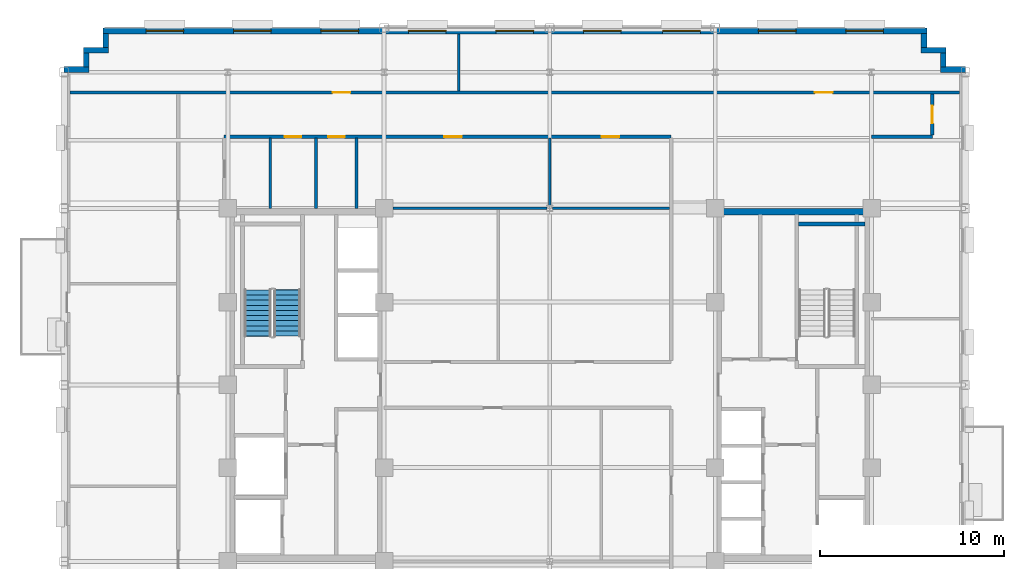
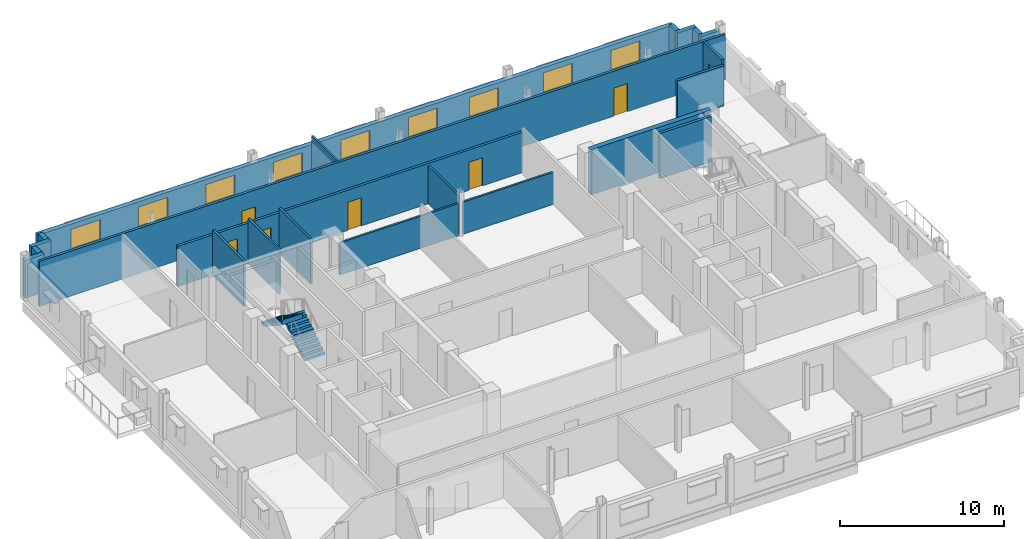
# One storey, part 10 of 15: 22 walls, 9 windows, 7 doors, 2 stair flights, 16 openings, 1 element without a shape of its own.
"""IFC4 building model written with IfcOpenShell, lengths in metres."""

from ifc_helpers import new_model, si_unit, direction, frame, frame_2d, origin, place, context, subcontext, project, spatial, polyline, rectangle, outline, extrude, source, transform, mapped, material, layer, layer_set, type_object, type_shapes, element, fill, aggregate, save


model = new_model("IFC4")

# Units and contexts
model_context = context("Model", 3, precision=1e-05, world=origin(), true_north=direction((0.0, 1.0)))
body_context = subcontext(model_context, "Body", "Model", "MODEL_VIEW")
ifc_project = project(units=[si_unit("LENGTHUNIT", "METRE"), si_unit("AREAUNIT", "SQUARE_METRE"), si_unit("VOLUMEUNIT", "CUBIC_METRE"), si_unit("PLANEANGLEUNIT", "RADIAN"), si_unit("MASSUNIT", "GRAM", prefix="KILO")], contexts=[model_context])

# Site, building, storey
site_placement = place(None, origin())
site = spatial("IfcSite", under=ifc_project, at=site_placement, CompositionType="ELEMENT")
building_placement = place(site_placement, origin())
building = spatial("IfcBuilding", under=site, at=building_placement, Name="Nuvemarco Arch Tower", CompositionType="ELEMENT")
storey_placement = place(building_placement, frame((0.0, 0.0, 194.550048828125)))
storey = spatial("IfcBuildingStorey", under=building, at=storey_placement, Name="L51", CompositionType="ELEMENT", Elevation=194.550048828125)

# Walls
ifc_material_1 = material(Name="Precast concrete C45/55", Category="concrete")
ifc_layer_1 = layer(ifc_material_1, 0.31005859375, Name="EW-UPP-310")
ifc_layer_set_1 = layer_set([ifc_layer_1], Name="Precast concrete C45/55")
wall_type_1 = type_object("IfcWallType", Name="EW-UPP-310", PredefinedType="STANDARD", material=ifc_layer_set_1)
wall_1_placement = place(storey_placement, frame((21.239990234375, 17.14501953125, 0.0), z_axis=(0.0, 0.0, 1.0), x_axis=(1.0, 0.0, 0.0)))
element("IfcWall", 1, at=wall_1_placement, inside=storey, type_object=wall_type_1, Name="L51 exterior precast facade wall 7", PredefinedType="STANDARD", context=body_context, shape_type="SweptSolid", body=[
    extrude(rectangle(XDim=1.360107421875, YDim=0.31005859375, at=frame_2d((0.68017578125, 0.0))), origin(), (0.0, 0.0, 1.0), 2.81591796875),
])
wall_2_placement = place(storey_placement, frame((21.39501953125, 17.2958984375, 0.0), z_axis=(0.0, 0.0, 1.0), x_axis=(0.0, 1.0, 0.0)))
element("IfcWall", 2, at=wall_2_placement, inside=storey, type_object=wall_type_1, Name="L51 exterior precast facade wall 8", PredefinedType="STANDARD", context=body_context, shape_type="SweptSolid", body=[
    extrude(rectangle(XDim=0.748046875, YDim=0.31005859375, at=frame_2d((0.3740234375, 0.0))), origin(), (0.0, 0.0, 1.0), 2.81591796875),
])
wall_3_placement = place(storey_placement, frame((20.18994140625, 18.195068359375, 0.0), z_axis=(0.0, 0.0, 1.0), x_axis=(1.0, 0.0, 0.0)))
element("IfcWall", 3, at=wall_3_placement, inside=storey, type_object=wall_type_1, Name="L51 exterior precast facade wall 9", PredefinedType="STANDARD", context=body_context, shape_type="SweptSolid", body=[
    extrude(rectangle(XDim=1.360107421875, YDim=0.31005859375, at=frame_2d((0.68017578125, 0.0))), origin(), (0.0, 0.0, 1.0), 2.81591796875),
])
wall_4_placement = place(storey_placement, frame((20.344970703125, 18.345947265625, 0.0), z_axis=(0.0, 0.0, 1.0), x_axis=(0.0, 1.0, 0.0)))
element("IfcWall", 4, at=wall_4_placement, inside=storey, type_object=wall_type_1, Name="L51 exterior precast facade wall 10", PredefinedType="STANDARD", context=body_context, shape_type="SweptSolid", body=[
    extrude(rectangle(XDim=0.748046875, YDim=0.31005859375, at=frame_2d((0.3740234375, 0.0))), origin(), (0.0, 0.0, 1.0), 2.81591796875),
])

# Wall, openings, windows
wall_5_placement = place(storey_placement, frame((-24.300048828125, 19.2451171875, 0.0), z_axis=(0.0, 0.0, 1.0), x_axis=(1.0, 0.0, 0.0)))
wall_5 = element("IfcWall", 5, at=wall_5_placement, inside=storey, type_object=wall_type_1, Name="L51 exterior precast facade wall 11", PredefinedType="STANDARD", context=body_context, shape_type="SweptSolid", body=[
    extrude(rectangle(XDim=44.800048828125, YDim=0.31005859375, at=frame_2d((22.39990234375, 0.0))), origin(), (0.0, 0.0, 1.0), 2.704833984375),
])
opening_1_placement = place(wall_5_placement, frame((2.352783203125, 0.0, 0.800048828125)))
opening_1 = element("IfcOpeningElement", 6, at=opening_1_placement, cuts=wall_5, Name="Opening WN-12", PredefinedType="OPENING", context=body_context, shape_type="SweptSolid", body=[
    extrude(rectangle(XDim=2.050048828125, YDim=1.52001953125, at=frame_2d((1.02490234375, 0.760009765625))), frame((0.0, 0.1650390625, 0.0), z_axis=(0.0, -1.0, 0.0), x_axis=(1.0, 0.0, 0.0)), (0.0, 0.0, 1.0), 0.330078125),
])
opening_2_placement = place(wall_5_placement, frame((7.1083984375, 0.0, 0.800048828125)))
opening_2 = element("IfcOpeningElement", 7, at=opening_2_placement, cuts=wall_5, Name="Opening WN-12", PredefinedType="OPENING", context=body_context, shape_type="SweptSolid", body=[
    extrude(rectangle(XDim=2.050048828125, YDim=1.52001953125, at=frame_2d((1.02490234375, 0.760009765625))), frame((0.0, 0.1650390625, 0.0), z_axis=(0.0, -1.0, 0.0), x_axis=(1.0, 0.0, 0.0)), (0.0, 0.0, 1.0), 0.330078125),
])
opening_3_placement = place(wall_5_placement, frame((11.864013671875, 0.0, 0.800048828125)))
opening_3 = element("IfcOpeningElement", 8, at=opening_3_placement, cuts=wall_5, Name="Opening WN-12", PredefinedType="OPENING", context=body_context, shape_type="SweptSolid", body=[
    extrude(rectangle(XDim=2.050048828125, YDim=1.52001953125, at=frame_2d((1.02490234375, 0.760009765625))), frame((0.0, 0.1650390625, 0.0), z_axis=(0.0, -1.0, 0.0), x_axis=(1.0, 0.0, 0.0)), (0.0, 0.0, 1.0), 0.330078125),
])
opening_4_placement = place(wall_5_placement, frame((16.619384765625, 0.0, 0.800048828125)))
opening_4 = element("IfcOpeningElement", 9, at=opening_4_placement, cuts=wall_5, Name="Opening WN-12", PredefinedType="OPENING", context=body_context, shape_type="SweptSolid", body=[
    extrude(rectangle(XDim=2.050048828125, YDim=1.52001953125, at=frame_2d((1.02490234375, 0.760009765625))), frame((0.0, 0.1650390625, 0.0), z_axis=(0.0, -1.0, 0.0), x_axis=(1.0, 0.0, 0.0)), (0.0, 0.0, 1.0), 0.330078125),
])
opening_5_placement = place(wall_5_placement, frame((21.375, 0.0, 0.800048828125)))
opening_5 = element("IfcOpeningElement", 10, at=opening_5_placement, cuts=wall_5, Name="Opening WN-12", PredefinedType="OPENING", context=body_context, shape_type="SweptSolid", body=[
    extrude(rectangle(XDim=2.050048828125, YDim=1.52001953125, at=frame_2d((1.02490234375, 0.760009765625))), frame((0.0, 0.1650390625, 0.0), z_axis=(0.0, -1.0, 0.0), x_axis=(1.0, 0.0, 0.0)), (0.0, 0.0, 1.0), 0.330078125),
])
opening_6_placement = place(wall_5_placement, frame((26.130615234375, 0.0, 0.800048828125)))
opening_6 = element("IfcOpeningElement", 11, at=opening_6_placement, cuts=wall_5, Name="Opening WN-12", PredefinedType="OPENING", context=body_context, shape_type="SweptSolid", body=[
    extrude(rectangle(XDim=2.050048828125, YDim=1.52001953125, at=frame_2d((1.02490234375, 0.760009765625))), frame((0.0, 0.1650390625, 0.0), z_axis=(0.0, -1.0, 0.0), x_axis=(1.0, 0.0, 0.0)), (0.0, 0.0, 1.0), 0.330078125),
])
opening_7_placement = place(wall_5_placement, frame((30.43603515625, 0.0, 0.800048828125)))
opening_7 = element("IfcOpeningElement", 12, at=opening_7_placement, cuts=wall_5, Name="Opening WN-12", PredefinedType="OPENING", context=body_context, shape_type="SweptSolid", body=[
    extrude(rectangle(XDim=2.050048828125, YDim=1.52001953125, at=frame_2d((1.02490234375, 0.760009765625))), frame((0.0, 0.1650390625, 0.0), z_axis=(0.0, -1.0, 0.0), x_axis=(1.0, 0.0, 0.0)), (0.0, 0.0, 1.0), 0.330078125),
])
opening_8_placement = place(wall_5_placement, frame((35.6416015625, 0.0, 0.800048828125)))
opening_8 = element("IfcOpeningElement", 13, at=opening_8_placement, cuts=wall_5, Name="Opening WN-12", PredefinedType="OPENING", context=body_context, shape_type="SweptSolid", body=[
    extrude(rectangle(XDim=2.050048828125, YDim=1.52001953125, at=frame_2d((1.02490234375, 0.760009765625))), frame((0.0, 0.1650390625, 0.0), z_axis=(0.0, -1.0, 0.0), x_axis=(1.0, 0.0, 0.0)), (0.0, 0.0, 1.0), 0.330078125),
])
opening_9_placement = place(wall_5_placement, frame((40.397216796875, 0.0, 0.800048828125)))
opening_9 = element("IfcOpeningElement", 14, at=opening_9_placement, cuts=wall_5, Name="Opening WN-12", PredefinedType="OPENING", context=body_context, shape_type="SweptSolid", body=[
    extrude(rectangle(XDim=2.050048828125, YDim=1.52001953125, at=frame_2d((1.02490234375, 0.760009765625))), frame((0.0, 0.1650390625, 0.0), z_axis=(0.0, -1.0, 0.0), x_axis=(1.0, 0.0, 0.0)), (0.0, 0.0, 1.0), 0.330078125),
])
ifc_material_2 = material(Name="Insulated solar-control glass", Category="glass")
window_type = type_object("IfcWindowType", Name="WN-SET-2050x1520", PartitioningType="DOUBLE_PANEL_VERTICAL", PredefinedType="WINDOW", material=ifc_material_2)
shared_shape_1 = source(origin(), body_context, "Body", "SweptSolid", [
    extrude(rectangle(XDim=2.050048828125, YDim=1.52001953125, at=frame_2d((1.02490234375, 0.760009765625))), frame((0.0, 0.030029296875, 0.0), z_axis=(0.0, -1.0, 0.0), x_axis=(1.0, 0.0, 0.0)), (0.0, 0.0, 1.0), 0.06005859375),
])
type_shapes(window_type, [shared_shape_1])
window_1_placement = place(opening_1_placement, origin())
window_1 = element("IfcWindow", 15, at=window_1_placement, inside=storey, type_object=window_type, Name="L51 punched facade window 1", OverallHeight=1.52001953125, OverallWidth=2.050048828125, PartitioningType="SINGLE_PANEL", PredefinedType="WINDOW", context=body_context, shape_type="MappedRepresentation", body=[
    mapped(shared_shape_1, transform((0.0, 0.0, 0.0), scale=1.0)),
])
fill(opening_1, window_1)
window_2_placement = place(opening_2_placement, origin())
window_2 = element("IfcWindow", 16, at=window_2_placement, inside=storey, type_object=window_type, Name="L51 punched facade window 2", OverallHeight=1.52001953125, OverallWidth=2.050048828125, PartitioningType="SINGLE_PANEL", PredefinedType="WINDOW", context=body_context, shape_type="MappedRepresentation", body=[
    mapped(shared_shape_1, transform((0.0, 0.0, 0.0), scale=1.0)),
])
fill(opening_2, window_2)
window_3_placement = place(opening_3_placement, origin())
window_3 = element("IfcWindow", 17, at=window_3_placement, inside=storey, type_object=window_type, Name="L51 punched facade window 3", OverallHeight=1.52001953125, OverallWidth=2.050048828125, PartitioningType="SINGLE_PANEL", PredefinedType="WINDOW", context=body_context, shape_type="MappedRepresentation", body=[
    mapped(shared_shape_1, transform((0.0, 0.0, 0.0), scale=1.0)),
])
fill(opening_3, window_3)
window_4_placement = place(opening_4_placement, origin())
window_4 = element("IfcWindow", 18, at=window_4_placement, inside=storey, type_object=window_type, Name="L51 punched facade window 4", OverallHeight=1.52001953125, OverallWidth=2.050048828125, PartitioningType="SINGLE_PANEL", PredefinedType="WINDOW", context=body_context, shape_type="MappedRepresentation", body=[
    mapped(shared_shape_1, transform((0.0, 0.0, 0.0), scale=1.0)),
])
fill(opening_4, window_4)
window_5_placement = place(opening_5_placement, origin())
window_5 = element("IfcWindow", 19, at=window_5_placement, inside=storey, type_object=window_type, Name="L51 punched facade window 5", OverallHeight=1.52001953125, OverallWidth=2.050048828125, PartitioningType="SINGLE_PANEL", PredefinedType="WINDOW", context=body_context, shape_type="MappedRepresentation", body=[
    mapped(shared_shape_1, transform((0.0, 0.0, 0.0), scale=1.0)),
])
fill(opening_5, window_5)
window_6_placement = place(opening_6_placement, origin())
window_6 = element("IfcWindow", 20, at=window_6_placement, inside=storey, type_object=window_type, Name="L51 punched facade window 6", OverallHeight=1.52001953125, OverallWidth=2.050048828125, PartitioningType="SINGLE_PANEL", PredefinedType="WINDOW", context=body_context, shape_type="MappedRepresentation", body=[
    mapped(shared_shape_1, transform((0.0, 0.0, 0.0), scale=1.0)),
])
fill(opening_6, window_6)
window_7_placement = place(opening_7_placement, origin())
window_7 = element("IfcWindow", 21, at=window_7_placement, inside=storey, type_object=window_type, Name="L51 punched facade window 7", OverallHeight=1.52001953125, OverallWidth=2.050048828125, PartitioningType="SINGLE_PANEL", PredefinedType="WINDOW", context=body_context, shape_type="MappedRepresentation", body=[
    mapped(shared_shape_1, transform((0.0, 0.0, 0.0), scale=1.0)),
])
fill(opening_7, window_7)
window_8_placement = place(opening_8_placement, origin())
window_8 = element("IfcWindow", 22, at=window_8_placement, inside=storey, type_object=window_type, Name="L51 punched facade window 8", OverallHeight=1.52001953125, OverallWidth=2.050048828125, PartitioningType="SINGLE_PANEL", PredefinedType="WINDOW", context=body_context, shape_type="MappedRepresentation", body=[
    mapped(shared_shape_1, transform((0.0, 0.0, 0.0), scale=1.0)),
])
fill(opening_8, window_8)
window_9_placement = place(opening_9_placement, origin())
window_9 = element("IfcWindow", 23, at=window_9_placement, inside=storey, type_object=window_type, Name="L51 punched facade window 9", OverallHeight=1.52001953125, OverallWidth=2.050048828125, PartitioningType="SINGLE_PANEL", PredefinedType="WINDOW", context=body_context, shape_type="MappedRepresentation", body=[
    mapped(shared_shape_1, transform((0.0, 0.0, 0.0), scale=1.0)),
])
fill(opening_9, window_9)

# Walls
wall_6_placement = place(storey_placement, frame((-24.14501953125, 18.345947265625, 0.0), z_axis=(0.0, 0.0, 1.0), x_axis=(0.0, 1.0, 0.0)))
element("IfcWall", 24, at=wall_6_placement, inside=storey, type_object=wall_type_1, Name="L51 exterior precast facade wall 12", PredefinedType="STANDARD", context=body_context, shape_type="SweptSolid", body=[
    extrude(rectangle(XDim=0.748046875, YDim=0.31005859375, at=frame_2d((0.3740234375, 0.0))), origin(), (0.0, 0.0, 1.0), 2.81591796875),
])
wall_7_placement = place(storey_placement, frame((-25.35009765625, 18.195068359375, 0.0), z_axis=(0.0, 0.0, 1.0), x_axis=(1.0, 0.0, 0.0)))
element("IfcWall", 25, at=wall_7_placement, inside=storey, type_object=wall_type_1, Name="L51 exterior precast facade wall 13", PredefinedType="STANDARD", context=body_context, shape_type="SweptSolid", body=[
    extrude(rectangle(XDim=1.360107421875, YDim=0.31005859375, at=frame_2d((0.68017578125, 0.0))), origin(), (0.0, 0.0, 1.0), 2.81591796875),
])
wall_8_placement = place(storey_placement, frame((-25.195068359375, 17.2958984375, 0.0), z_axis=(0.0, 0.0, 1.0), x_axis=(0.0, 1.0, 0.0)))
element("IfcWall", 26, at=wall_8_placement, inside=storey, type_object=wall_type_1, Name="L51 exterior precast facade wall 14", PredefinedType="STANDARD", context=body_context, shape_type="SweptSolid", body=[
    extrude(rectangle(XDim=0.748046875, YDim=0.31005859375, at=frame_2d((0.3740234375, 0.0))), origin(), (0.0, 0.0, 1.0), 2.81591796875),
])
wall_9_placement = place(storey_placement, frame((-26.39990234375, 17.14501953125, 0.0), z_axis=(0.0, 0.0, 1.0), x_axis=(1.0, 0.0, 0.0)))
element("IfcWall", 27, at=wall_9_placement, inside=storey, type_object=wall_type_1, Name="L51 exterior precast facade wall 15", PredefinedType="STANDARD", context=body_context, shape_type="SweptSolid", body=[
    extrude(rectangle(XDim=1.35986328125, YDim=0.31005859375, at=frame_2d((0.679931640625, 0.0))), origin(), (0.0, 0.0, 1.0), 2.81591796875),
])
ifc_material_3 = material(Name="Concrete C50/60", Category="concrete")
ifc_layer_2 = layer(ifc_material_3, 0.35009765625, Name="WL-CORE-350")
ifc_layer_set_2 = layer_set([ifc_layer_2], Name="Concrete C50/60")
wall_type_2 = type_object("IfcWallType", Name="WL-CORE-350", PredefinedType="SHEAR", material=ifc_layer_set_2)
wall_10_placement = place(storey_placement, frame((9.0, 9.425048828125, 0.0), z_axis=(0.0, 0.0, 1.0), x_axis=(1.0, 0.0, 0.0)))
element("IfcWall", 28, at=wall_10_placement, inside=storey, type_object=wall_type_2, Name="L51 E-core shear wall N", PredefinedType="SHEAR", context=body_context, shape_type="SweptSolid", body=[
    extrude(rectangle(XDim=8.5, YDim=0.35009765625, at=frame_2d((4.25, 0.0))), origin(), (0.0, 0.0, 1.0), 3.369873046875),
])

# Wall, openings, doors
ifc_material_4 = material(Name="Fire-rated gypsum drywall partition")
ifc_layer_3 = layer(ifc_material_4, 0.179931640625, Name="WL-CORR-180")
ifc_layer_set_3 = layer_set([ifc_layer_3], Name="Fire-rated gypsum drywall partition")
wall_type_3 = type_object("IfcWallType", Name="WL-CORR-180", PredefinedType="PARTITIONING", material=ifc_layer_set_3)
wall_11_placement = place(storey_placement, frame((-17.699951171875, 13.5, 0.0), z_axis=(0.0, 0.0, 1.0), x_axis=(1.0, 0.0, 0.0)))
wall_11 = element("IfcWall", 29, at=wall_11_placement, inside=storey, type_object=wall_type_3, Name="L51 interior wall IW-L51-013", PredefinedType="PARTITIONING", context=body_context, shape_type="SweptSolid", body=[
    extrude(rectangle(XDim=24.300048828125, YDim=0.179931640625, at=frame_2d((12.14990234375, 0.0))), origin(), (0.0, 0.0, 1.0), 3.008056640625),
])
opening_10_placement = place(wall_11_placement, frame((11.969970703125, 0.0, 0.0)))
opening_10 = element("IfcOpeningElement", 30, at=opening_10_placement, cuts=wall_11, Name="Opening FD-5", PredefinedType="OPENING", context=body_context, shape_type="SweptSolid", body=[
    extrude(rectangle(XDim=0.9599609375, YDim=2.10009765625, at=frame_2d((0.47998046875, 1.050048828125))), frame((0.0, 0.099853515625, 0.0), z_axis=(0.0, -1.0, 0.0), x_axis=(1.0, 0.0, 0.0)), (0.0, 0.0, 1.0), 0.199951171875),
])
opening_11_placement = place(wall_11_placement, frame((20.52001953125, 0.0, 0.0)))
opening_11 = element("IfcOpeningElement", 31, at=opening_11_placement, cuts=wall_11, Name="Opening FD-5", PredefinedType="OPENING", context=body_context, shape_type="SweptSolid", body=[
    extrude(rectangle(XDim=0.9599609375, YDim=2.10009765625, at=frame_2d((0.47998046875, 1.050048828125))), frame((0.0, 0.099853515625, 0.0), z_axis=(0.0, -1.0, 0.0), x_axis=(1.0, 0.0, 0.0)), (0.0, 0.0, 1.0), 0.199951171875),
])
opening_12_placement = place(wall_11_placement, frame((3.300048828125, 0.0, 0.0)))
opening_12 = element("IfcOpeningElement", 32, at=opening_12_placement, cuts=wall_11, Name="Opening ID-3", PredefinedType="OPENING", context=body_context, shape_type="SweptSolid", body=[
    extrude(rectangle(XDim=0.89990234375, YDim=2.10009765625, at=frame_2d((0.449951171875, 1.050048828125))), frame((0.0, 0.099853515625, 0.0), z_axis=(0.0, -1.0, 0.0), x_axis=(1.0, 0.0, 0.0)), (0.0, 0.0, 1.0), 0.199951171875),
])
opening_13_placement = place(wall_11_placement, frame((5.64990234375, 0.0, 0.0)))
opening_13 = element("IfcOpeningElement", 33, at=opening_13_placement, cuts=wall_11, Name="Opening ID-3", PredefinedType="OPENING", context=body_context, shape_type="SweptSolid", body=[
    extrude(rectangle(XDim=0.89990234375, YDim=2.10009765625, at=frame_2d((0.449951171875, 1.050048828125))), frame((0.0, 0.099853515625, 0.0), z_axis=(0.0, -1.0, 0.0), x_axis=(1.0, 0.0, 0.0)), (0.0, 0.0, 1.0), 0.199951171875),
])
ifc_material_5 = material(Name="Timber fire door", Category="wood")
door_type_1 = type_object("IfcDoorType", Name="DR-CORR-FD", OperationType="NOTDEFINED", PredefinedType="DOOR", material=ifc_material_5)
shared_shape_2 = source(origin(), body_context, "Body", "SweptSolid", [
    extrude(rectangle(XDim=0.9599609375, YDim=2.10009765625, at=frame_2d((0.47998046875, 1.050048828125))), frame((0.0, 0.02490234375, 0.0), z_axis=(0.0, -1.0, 0.0), x_axis=(1.0, 0.0, 0.0)), (0.0, 0.0, 1.0), 0.050048828125),
])
type_shapes(door_type_1, [shared_shape_2])
door_1_placement = place(opening_10_placement, origin())
door_1 = element("IfcDoor", 34, at=door_1_placement, inside=storey, type_object=door_type_1, Name="L51 door DR-L51-IN_N1", OperationType="SINGLE_SWING_RIGHT", OverallHeight=2.10009765625, OverallWidth=0.9599609375, PredefinedType="DOOR", context=body_context, shape_type="MappedRepresentation", body=[
    mapped(shared_shape_2, transform((0.0, 0.0, 0.0), scale=1.0)),
])
fill(opening_10, door_1)
door_2_placement = place(opening_11_placement, origin())
door_2 = element("IfcDoor", 35, at=door_2_placement, inside=storey, type_object=door_type_1, Name="L51 door DR-L51-IN_N2", OperationType="SINGLE_SWING_RIGHT", OverallHeight=2.10009765625, OverallWidth=0.9599609375, PredefinedType="DOOR", context=body_context, shape_type="MappedRepresentation", body=[
    mapped(shared_shape_2, transform((0.0, 0.0, 0.0), scale=1.0)),
])
fill(opening_11, door_2)
ifc_material_6 = material(Name="Veneered oak timber fire door", Category="wood")
door_type_2 = type_object("IfcDoorType", Name="DR-WC-ACC", OperationType="NOTDEFINED", PredefinedType="DOOR", material=ifc_material_6)
shared_shape_3 = source(origin(), body_context, "Body", "SweptSolid", [
    extrude(rectangle(XDim=0.89990234375, YDim=2.10009765625, at=frame_2d((0.449951171875, 1.050048828125))), frame((0.0, 0.02490234375, 0.0), z_axis=(0.0, -1.0, 0.0), x_axis=(1.0, 0.0, 0.0)), (0.0, 0.0, 1.0), 0.050048828125),
])
type_shapes(door_type_2, [shared_shape_3])
door_3_placement = place(opening_12_placement, origin())
door_3 = element("IfcDoor", 36, at=door_3_placement, inside=storey, type_object=door_type_2, Name="L51 door DR-L51-WC_F", OperationType="SINGLE_SWING_LEFT", OverallHeight=2.10009765625, OverallWidth=0.89990234375, PredefinedType="DOOR", context=body_context, shape_type="MappedRepresentation", body=[
    mapped(shared_shape_3, transform((0.0, 0.0, 0.0), scale=1.0)),
])
fill(opening_12, door_3)
door_4_placement = place(opening_13_placement, origin())
door_4 = element("IfcDoor", 37, at=door_4_placement, inside=storey, type_object=door_type_2, Name="L51 door DR-L51-WC_ACC", OperationType="SINGLE_SWING_RIGHT", OverallHeight=2.10009765625, OverallWidth=0.89990234375, PredefinedType="DOOR", context=body_context, shape_type="MappedRepresentation", body=[
    mapped(shared_shape_3, transform((0.0, 0.0, 0.0), scale=1.0)),
])
fill(opening_13, door_4)

# Wall
wall_12_placement = place(storey_placement, frame((17.5, 13.5, 0.0), z_axis=(0.0, 0.0, 1.0), x_axis=(1.0, 0.0, 0.0)))
element("IfcWall", 38, at=wall_12_placement, inside=storey, type_object=wall_type_3, Name="L51 interior wall IW-L51-014", PredefinedType="PARTITIONING", context=body_context, shape_type="SweptSolid", body=[
    extrude(rectangle(XDim=3.300048828125, YDim=0.179931640625, at=frame_2d((1.64990234375, 0.0))), origin(), (0.0, 0.0, 1.0), 3.008056640625),
])

# Wall, openings, doors
wall_13_placement = place(storey_placement, frame((-26.090087890625, 15.89990234375, 0.0), z_axis=(0.0, 0.0, 1.0), x_axis=(1.0, 0.0, 0.0)))
wall_13 = element("IfcWall", 39, at=wall_13_placement, inside=storey, type_object=wall_type_3, Name="L51 interior wall IW-L51-015", PredefinedType="PARTITIONING", context=body_context, shape_type="SweptSolid", body=[
    extrude(rectangle(XDim=48.380126953125, YDim=0.179931640625, at=frame_2d((24.18994140625, 0.0))), origin(), (0.0, 0.0, 1.0), 3.35986328125),
])
opening_14_placement = place(wall_13_placement, frame((14.2900390625, 0.0, 0.0)))
opening_14 = element("IfcOpeningElement", 40, at=opening_14_placement, cuts=wall_13, Name="Opening FD-5", PredefinedType="OPENING", context=body_context, shape_type="SweptSolid", body=[
    extrude(rectangle(XDim=0.9599609375, YDim=2.10009765625, at=frame_2d((0.47998046875, 1.050048828125))), frame((0.0, 0.099853515625, 0.0), z_axis=(0.0, -1.0, 0.0), x_axis=(1.0, 0.0, 0.0)), (0.0, 0.0, 1.0), 0.199951171875),
])
opening_15_placement = place(wall_13_placement, frame((40.510009765625, 0.0, 0.0)))
opening_15 = element("IfcOpeningElement", 41, at=opening_15_placement, cuts=wall_13, Name="Opening FD-5", PredefinedType="OPENING", context=body_context, shape_type="SweptSolid", body=[
    extrude(rectangle(XDim=0.9599609375, YDim=2.10009765625, at=frame_2d((0.47998046875, 1.050048828125))), frame((0.0, 0.099853515625, 0.0), z_axis=(0.0, -1.0, 0.0), x_axis=(1.0, 0.0, 0.0)), (0.0, 0.0, 1.0), 0.199951171875),
])
door_5_placement = place(opening_14_placement, origin())
door_5 = element("IfcDoor", 42, at=door_5_placement, inside=storey, type_object=door_type_1, Name="L51 door DR-L51-N_1", OperationType="SINGLE_SWING_RIGHT", OverallHeight=2.10009765625, OverallWidth=0.9599609375, PredefinedType="DOOR", context=body_context, shape_type="MappedRepresentation", body=[
    mapped(shared_shape_2, transform((0.0, 0.0, 0.0), scale=1.0)),
])
fill(opening_14, door_5)
door_6_placement = place(opening_15_placement, origin())
door_6 = element("IfcDoor", 43, at=door_6_placement, inside=storey, type_object=door_type_1, Name="L51 door DR-L51-N_2", OperationType="SINGLE_SWING_LEFT", OverallHeight=2.10009765625, OverallWidth=0.9599609375, PredefinedType="DOOR", context=body_context, shape_type="MappedRepresentation", body=[
    mapped(shared_shape_2, transform((0.0, 0.0, 0.0), scale=1.0)),
])
fill(opening_15, door_6)

# Wall, opening, door
wall_14_placement = place(storey_placement, frame((20.800048828125, 13.5859375, 0.0), z_axis=(0.0, 0.0, 1.0), x_axis=(0.0, 1.0, 0.0)))
wall_14 = element("IfcWall", 44, at=wall_14_placement, inside=storey, type_object=wall_type_3, Name="L51 interior wall IW-L51-034", PredefinedType="PARTITIONING", context=body_context, shape_type="SweptSolid", body=[
    extrude(rectangle(XDim=2.22802734375, YDim=0.179931640625, at=frame_2d((1.114013671875, 0.0))), origin(), (0.0, 0.0, 1.0), 3.35986328125),
])
opening_16_placement = place(wall_14_placement, frame((0.634033203125, 0.0, 0.0)))
opening_16 = element("IfcOpeningElement", 45, at=opening_16_placement, cuts=wall_14, Name="Opening FD-5", PredefinedType="OPENING", context=body_context, shape_type="SweptSolid", body=[
    extrude(rectangle(XDim=0.9599609375, YDim=2.10009765625, at=frame_2d((0.47998046875, 1.050048828125))), frame((0.0, 0.099853515625, 0.0), z_axis=(0.0, -1.0, 0.0), x_axis=(1.0, 0.0, 0.0)), (0.0, 0.0, 1.0), 0.199951171875),
])
door_7_placement = place(opening_16_placement, origin())
door_7 = element("IfcDoor", 46, at=door_7_placement, inside=storey, type_object=door_type_1, Name="L51 door DR-L51-E_2", OperationType="SINGLE_SWING_LEFT", OverallHeight=2.10009765625, OverallWidth=0.9599609375, PredefinedType="DOOR", context=body_context, shape_type="MappedRepresentation", body=[
    mapped(shared_shape_2, transform((0.0, 0.0, 0.0), scale=1.0)),
])
fill(opening_16, door_7)

# Walls
ifc_material_7 = material(Name="Glazed acoustic office partition")
ifc_layer_4 = layer(ifc_material_7, 0.1298828125, Name="WL-EXEC-130")
ifc_layer_set_4 = layer_set([ifc_layer_4], Name="Glazed acoustic office partition")
wall_type_4 = type_object("IfcWallType", Name="WL-EXEC-130", PredefinedType="PARTITIONING", material=ifc_layer_set_4)
wall_15_placement = place(storey_placement, frame((-4.93994140625, 15.986083984375, 0.0), z_axis=(0.0, 0.0, 1.0), x_axis=(0.0, 1.0, 0.0)))
element("IfcWall", 47, at=wall_15_placement, inside=storey, type_object=wall_type_4, Name="L51 interior wall IW-L51-024", PredefinedType="PARTITIONING", context=body_context, shape_type="SweptSolid", body=[
    extrude(rectangle(XDim=3.10400390625, YDim=0.1298828125, at=frame_2d((1.552001953125, 0.0))), origin(), (0.0, 0.0, 1.0), 3.35986328125),
])
ifc_material_8 = material(Name="Gypsum plasterboard partition")
ifc_layer_5 = layer(ifc_material_8, 0.139892578125, Name="WL-ROOM-140")
ifc_layer_set_5 = layer_set([ifc_layer_5], Name="Gypsum plasterboard partition")
wall_type_5 = type_object("IfcWallType", Name="WL-ROOM-140", PredefinedType="PARTITIONING", material=ifc_layer_set_5)
wall_16_placement = place(storey_placement, frame((-8.529052734375, 9.60009765625, 0.0), z_axis=(0.0, 0.0, 1.0), x_axis=(1.0, 0.0, 0.0)))
element("IfcWall", 48, at=wall_16_placement, inside=storey, type_object=wall_type_5, Name="L51 interior wall IW-L51-011", PredefinedType="PARTITIONING", context=body_context, shape_type="SweptSolid", body=[
    extrude(rectangle(XDim=8.378173828125, YDim=0.139892578125, at=frame_2d((4.18896484375, 0.0))), origin(), (0.0, 0.0, 1.0), 2.405029296875),
])
wall_17_placement = place(storey_placement, frame((0.15087890625, 9.60009765625, 0.0), z_axis=(0.0, 0.0, 1.0), x_axis=(1.0, 0.0, 0.0)))
element("IfcWall", 49, at=wall_17_placement, inside=storey, type_object=wall_type_5, Name="L51 interior wall IW-L51-012", PredefinedType="PARTITIONING", context=body_context, shape_type="SweptSolid", body=[
    extrude(rectangle(XDim=6.363037109375, YDim=0.139892578125, at=frame_2d((3.181640625, 0.0))), origin(), (0.0, 0.0, 1.0), 2.405029296875),
])
wall_18_placement = place(storey_placement, frame((0.0, 9.7509765625, 0.0), z_axis=(0.0, 0.0, 1.0), x_axis=(0.0, 1.0, 0.0)))
element("IfcWall", 50, at=wall_18_placement, inside=storey, type_object=wall_type_5, Name="L51 interior wall IW-L51-027", PredefinedType="PARTITIONING", context=body_context, shape_type="SweptSolid", body=[
    extrude(rectangle(XDim=3.6630859375, YDim=0.139892578125, at=frame_2d((1.83154296875, 0.0))), origin(), (0.0, 0.0, 1.0), 2.81591796875),
])
ifc_layer_6 = layer(ifc_material_3, 0.199951171875, Name="WL-SHAFT-220")
ifc_layer_set_6 = layer_set([ifc_layer_6], Name="Concrete C50/60")
wall_type_6 = type_object("IfcWallType", Name="WL-SHAFT-220", PredefinedType="SHEAR", material=ifc_layer_set_6)
wall_19_placement = place(storey_placement, frame((13.534912109375, 8.75, 0.0), z_axis=(0.0, 0.0, 1.0), x_axis=(1.0, 0.0, 0.0)))
element("IfcWall", 51, at=wall_19_placement, inside=storey, type_object=wall_type_6, Name="L51 structural shaft wall SW-L51-E-ST2N", PredefinedType="SHEAR", context=body_context, shape_type="SweptSolid", body=[
    extrude(rectangle(XDim=3.6201171875, YDim=0.199951171875, at=frame_2d((1.81005859375, 0.0))), origin(), (0.0, 0.0, 1.0), 3.369873046875),
])
ifc_material_9 = material(Name="Moisture-resistant gypsum partition")
ifc_layer_7 = layer(ifc_material_9, 0.14990234375, Name="WL-WET-150")
ifc_layer_set_7 = layer_set([ifc_layer_7], Name="Moisture-resistant gypsum partition")
wall_type_7 = type_object("IfcWallType", Name="WL-WET-150", PredefinedType="PARTITIONING", material=ifc_layer_set_7)
for number, where, z_axis, x_axis, name in (
    (52, (-15.199951171875, 9.60009765625, 0.0), (0.0, 0.0, 1.0), (0.0, 1.0, 0.0), "L51 interior wall IW-L51-020"),
    (53, (-12.699951171875, 9.60009765625, 0.0), (0.0, 0.0, 1.0), (0.0, 1.0, 0.0), "L51 interior wall IW-L51-021"),
    (54, (-10.5, 9.60009765625, 0.0), (0.0, 0.0, 1.0), (0.0, 1.0, 0.0), "L51 interior wall IW-L51-023"),
):
    element("IfcWall", number, at=place(storey_placement, frame(where, z_axis=z_axis, x_axis=x_axis)), inside=storey, type_object=wall_type_7, Name=name, PredefinedType="PARTITIONING", context=body_context, shape_type="SweptSolid", body=[
        extrude(rectangle(XDim=3.81396484375, YDim=0.14990234375, at=frame_2d((1.906982421875, 0.0))), origin(), (0.0, 0.0, 1.0), 3.35986328125),
    ])

# Stair, stair flights
stair_type = type_object("IfcStairType", Name="ST-CORE-20R", PredefinedType="HALF_TURN_STAIR", material=ifc_material_1)
stair_placement = place(storey_placement, origin())
stair = element("IfcStair", 55, at=stair_placement, inside=storey, type_object=stair_type, Name="L51 Protected Exit Stair ST-1", PredefinedType="HALF_TURN_STAIR")
stair_flight_type = type_object("IfcStairFlightType", Name="SF-CORE-20R", PredefinedType="STRAIGHT", material=ifc_material_1)
stair_flight_1_placement = place(storey_placement, frame((-14.264892578125, 2.64990234375, 0.0), z_axis=(0.0, 0.0, 1.0), x_axis=(0.0, 1.0, 0.0)))
stair_flight_1 = element("IfcStairFlight", 56, at=stair_flight_1_placement, type_object=stair_flight_type, Name="ST-20R flight 1", NumberOfRisers=10, NumberOfTreads=9, PredefinedType="STRAIGHT", RiserHeight=0.1825, TreadLength=0.28, context=body_context, shape_type="SweptSolid", body=[
    extrude(outline(polyline([(0.0, 0.0), (0.0, 0.1826171875), (0.280029296875, 0.1826171875), (0.280029296875, 0.364990234375), (0.56005859375, 0.364990234375), (0.56005859375, 0.547607421875), (0.840087890625, 0.547607421875), (0.840087890625, 0.72998046875), (1.1201171875, 0.72998046875), (1.1201171875, 0.91259765625), (1.39990234375, 0.91259765625), (1.39990234375, 1.094970703125), (1.679931640625, 1.094970703125), (1.679931640625, 1.277587890625), (1.9599609375, 1.277587890625), (1.9599609375, 1.4599609375), (2.239990234375, 1.4599609375), (2.239990234375, 1.642578125), (2.52001953125, 1.642578125), (2.52001953125, 1.824951171875), (2.5400390625, 1.824951171875), (2.5400390625, 1.45166015625), (0.312744140625, 0.0), (0.0, 0.0)])), frame((0.0, 0.72509765625, 0.0), z_axis=(0.0, -1.0, 0.0), x_axis=(1.0, 0.0, 0.0)), (0.0, 0.0, 1.0), 1.449951171875),
])
stair_flight_2_placement = place(storey_placement, frame((-15.875, 5.169921875, 1.824951171875), z_axis=(0.0, 0.0, 1.0), x_axis=(0.0, -1.0, 0.0)))
stair_flight_2 = element("IfcStairFlight", 57, at=stair_flight_2_placement, type_object=stair_flight_type, Name="ST-20R flight 2", NumberOfRisers=10, NumberOfTreads=9, PredefinedType="STRAIGHT", RiserHeight=0.1825, TreadLength=0.28, context=body_context, shape_type="SweptSolid", body=[
    extrude(outline(polyline([(0.0, 0.0), (0.0, 0.1826171875), (0.280029296875, 0.1826171875), (0.280029296875, 0.364990234375), (0.56005859375, 0.364990234375), (0.56005859375, 0.547607421875), (0.840087890625, 0.547607421875), (0.840087890625, 0.72998046875), (1.1201171875, 0.72998046875), (1.1201171875, 0.91259765625), (1.39990234375, 0.91259765625), (1.39990234375, 1.094970703125), (1.679931640625, 1.094970703125), (1.679931640625, 1.277587890625), (1.9599609375, 1.277587890625), (1.9599609375, 1.4599609375), (2.239990234375, 1.4599609375), (2.239990234375, 1.642578125), (2.52001953125, 1.642578125), (2.52001953125, 1.824951171875), (2.5400390625, 1.824951171875), (2.5400390625, 1.45166015625), (0.312744140625, 0.0), (0.0, 0.0)])), frame((0.0, 0.72509765625, 0.0), z_axis=(0.0, -1.0, 0.0), x_axis=(1.0, 0.0, 0.0)), (0.0, 0.0, 1.0), 1.449951171875),
])
aggregate(stair, [stair_flight_1, stair_flight_2])

save(model, "model.ifc")
